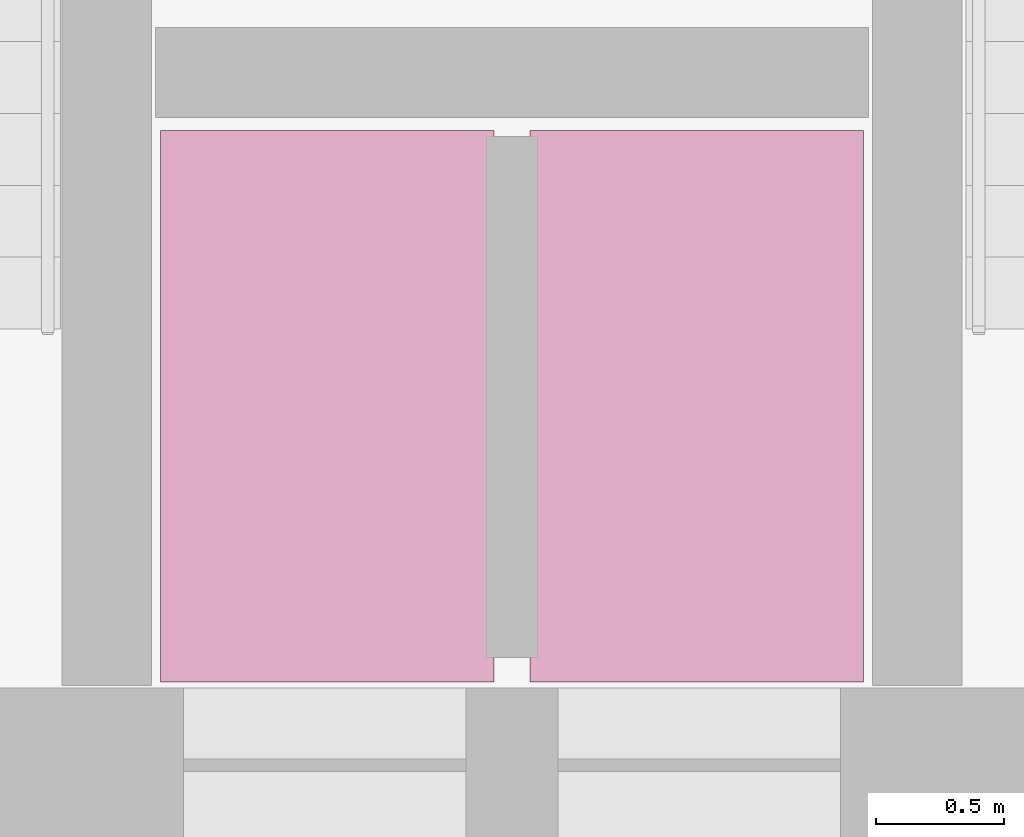
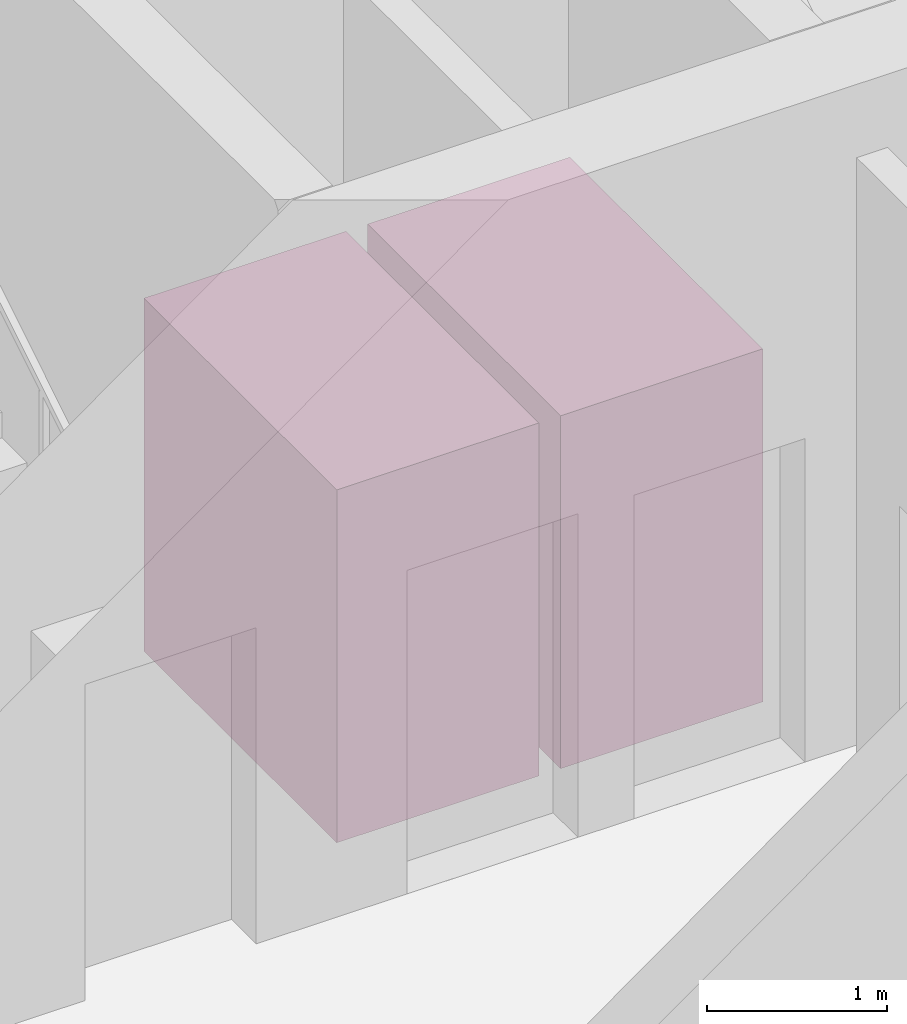
# One storey, part 7 of 7: 2 transport elements.
"""IFC4 building model written with IfcOpenShell, lengths in metres."""

from ifc_helpers import new_model, si_unit, direction, frame, origin, origin_2d, place, context, subcontext, project, spatial, rectangle, extrude, material, type_object, element, save


model = new_model("IFC4")

# Units and contexts
model_context = context("Model", 3, precision=1e-05, world=origin(), true_north=direction((0.0, 1.0)))
body_context = subcontext(model_context, "Body", "Model", "MODEL_VIEW")
ifc_project = project(units=[si_unit("LENGTHUNIT", "METRE"), si_unit("AREAUNIT", "SQUARE_METRE"), si_unit("VOLUMEUNIT", "CUBIC_METRE"), si_unit("PLANEANGLEUNIT", "RADIAN"), si_unit("MASSUNIT", "GRAM", prefix="KILO")], contexts=[model_context])

# Site, building, storey
site_placement = place(None, origin())
site = spatial("IfcSite", under=ifc_project, at=site_placement, CompositionType="ELEMENT")
building_placement = place(site_placement, origin())
building = spatial("IfcBuilding", under=site, at=building_placement, Name="Varnakorn Sky Granary", CompositionType="ELEMENT")
storey_placement = place(building_placement, frame((0.0, 0.0, -13.5)))
storey = spatial("IfcBuildingStorey", under=building, at=storey_placement, Name="B03", CompositionType="ELEMENT", Elevation=-13.5)

# Transport elements
ifc_material = material(Name="Brushed Bronze Stainless Steel", Category="steel")
transport_element_type = type_object("IfcTransportElementType", Name="LF-FIRE-1600", PredefinedType="ELEVATOR", material=ifc_material)
for number, where, z_axis, x_axis, name in (
    (1, (2.280029296875, 4.89990234375, 0.0), (0.0, 0.0, 1.0), (1.0, 0.0, 0.0), "Firefighting Elevator FFL-1"),
    (2, (3.719970703125, 4.89990234375, 0.0), (0.0, 0.0, 1.0), (1.0, 0.0, 0.0), "Firefighting Elevator FFL-2"),
):
    element("IfcTransportElement", number, at=place(storey_placement, frame(where, z_axis=z_axis, x_axis=x_axis)), inside=storey, type_object=transport_element_type, Name=name, PredefinedType="ELEVATOR", context=body_context, shape_type="SweptSolid", body=[
        extrude(rectangle(XDim=1.300048828125, YDim=2.14990234375, at=origin_2d()), origin(), (0.0, 0.0, 1.0), 2.39990234375),
    ])

save(model, "model.ifc")
